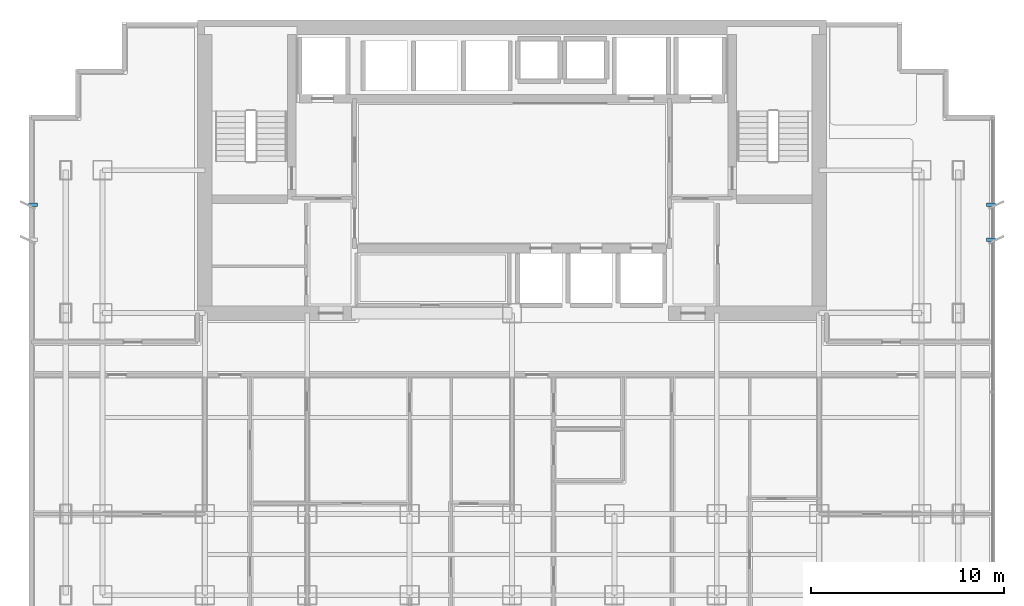
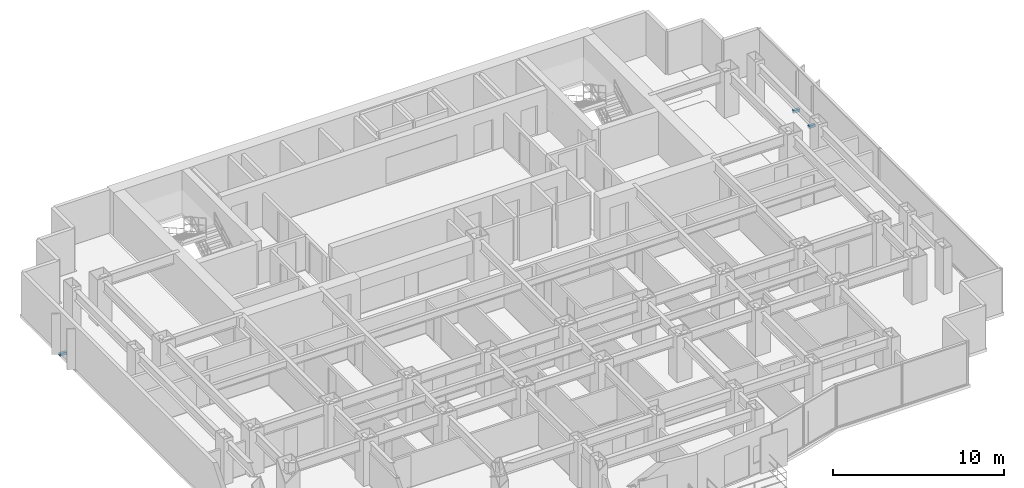
# One storey, part 10 of 12: 3 discrete accessories.
"""IFC4 building model written with IfcOpenShell, lengths in metres."""

from ifc_helpers import new_model, si_unit, direction, frame, origin, origin_2d, place, context, subcontext, project, spatial, rectangle, extrude, source, transform, mapped, material, type_object, element, save


model = new_model("IFC4")

# Units and contexts
model_context = context("Model", 3, precision=1e-05, world=origin(), true_north=direction((0.0, 1.0)))
body_context = subcontext(model_context, "Body", "Model", "MODEL_VIEW")
ifc_project = project(units=[si_unit("LENGTHUNIT", "METRE"), si_unit("AREAUNIT", "SQUARE_METRE"), si_unit("VOLUMEUNIT", "CUBIC_METRE"), si_unit("PLANEANGLEUNIT", "RADIAN"), si_unit("MASSUNIT", "GRAM", prefix="KILO")], contexts=[model_context])

# Site, building, storey
site_placement = place(None, origin())
site = spatial("IfcSite", under=ifc_project, at=site_placement, CompositionType="ELEMENT")
building_placement = place(site_placement, origin())
building = spatial("IfcBuilding", under=site, at=building_placement, Name="Qianlan Lanfeng Residences", CompositionType="ELEMENT")
storey_placement = place(building_placement, frame((0.0, 0.0, 101.5)))
storey = spatial("IfcBuildingStorey", under=building, at=storey_placement, Name="L27", CompositionType="ELEMENT", Elevation=101.5)

# Discrete accessories
ifc_material = material(Name="Stainless Steel Facade Bracket", Category="steel")
discrete_accessory_type = type_object("IfcDiscreteAccessoryType", Name="BRK-SS-350", PredefinedType="BRACKET", material=ifc_material)
shared_shape = source(origin(), body_context, "Body", "SweptSolid", [
    extrude(rectangle(XDim=0.449951171875, YDim=0.179931640625, at=origin_2d()), origin(), (0.0, 0.0, 1.0), 0.179931640625),
])
for number, where, z_axis, x_axis, name in (
    (1, (1.699951171875, 30.800048828125, -0.14990234375), (0.0, 0.0, 1.0), (1.0, 0.0, 0.0), "L27 Raked Solar Fin Support Bracket W2"),
    (2, (51.300048828125, 29.0, -0.14990234375), (0.0, 0.0, 1.0), (1.0, 0.0, 0.0), "L27 Raked Solar Fin Support Bracket E1"),
    (3, (51.300048828125, 30.800048828125, -0.14990234375), (0.0, 0.0, 1.0), (1.0, 0.0, 0.0), "L27 Raked Solar Fin Support Bracket E2"),
):
    element("IfcDiscreteAccessory", number, at=place(storey_placement, frame(where, z_axis=z_axis, x_axis=x_axis)), inside=storey, type_object=discrete_accessory_type, Name=name, PredefinedType="BRACKET", context=body_context, shape_type="MappedRepresentation", body=[
        mapped(shared_shape, transform((0.0, 0.0, 0.0), scale=1.0)),
    ])

save(model, "model.ifc")
